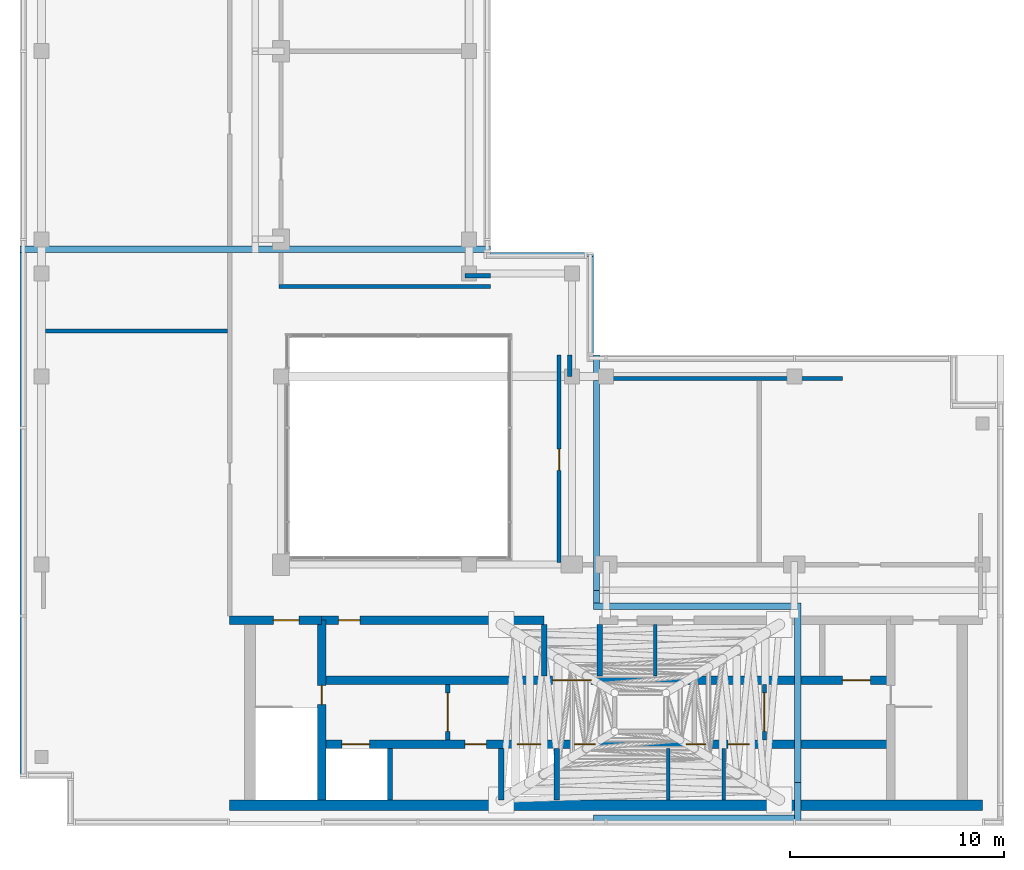
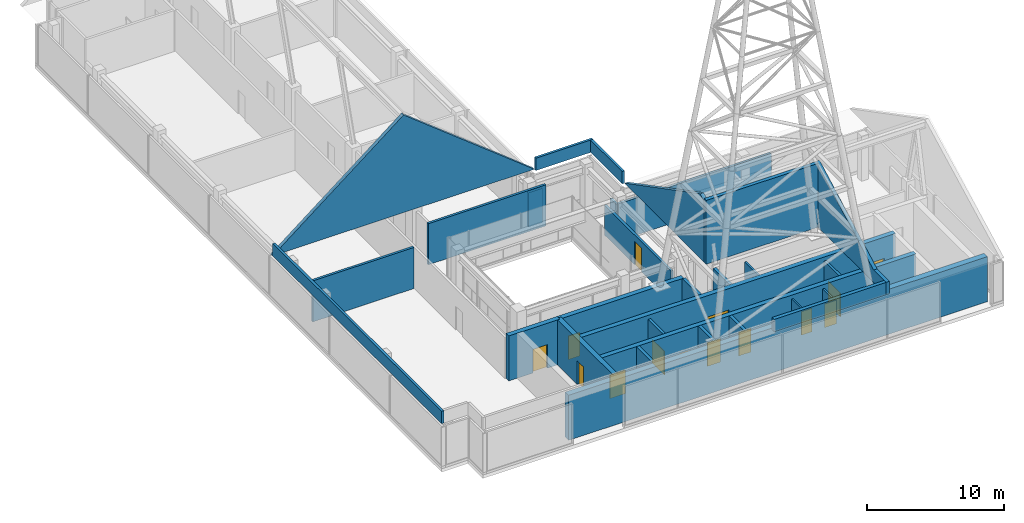
# One storey, part 11 of 13: 30 walls, 14 doors, 14 openings.
"""IFC4 building model written with IfcOpenShell, lengths in metres."""

from ifc_helpers import new_model, si_unit, direction, frame, frame_2d, origin, place, context, subcontext, project, spatial, polyline, rectangle, outline, extrude, material, layer, layer_set, type_object, element, fill, save


model = new_model("IFC4")

# Units and contexts
model_context = context("Model", 3, precision=1e-05, world=origin(), true_north=direction((0.0, 1.0)))
body_context = subcontext(model_context, "Body", "Model", "MODEL_VIEW")
ifc_project = project(units=[si_unit("LENGTHUNIT", "METRE"), si_unit("AREAUNIT", "SQUARE_METRE"), si_unit("VOLUMEUNIT", "CUBIC_METRE"), si_unit("PLANEANGLEUNIT", "RADIAN"), si_unit("MASSUNIT", "GRAM", prefix="KILO")], contexts=[model_context])

# Site, building, storey
site_placement = place(None, origin())
site = spatial("IfcSite", under=ifc_project, at=site_placement, CompositionType="ELEMENT")
building_placement = place(site_placement, origin())
building = spatial("IfcBuilding", under=site, at=building_placement, Name="Kemantara Hotel Tower", CompositionType="ELEMENT")
storey_placement = place(building_placement, frame((0.0, 0.0, 330.199951171875)))
storey = spatial("IfcBuildingStorey", under=building, at=storey_placement, Name="L83", CompositionType="ELEMENT", Elevation=330.199951171875)

# Walls
ifc_material_1 = material(Name="Concrete fc 50 MPa", Category="concrete")
ifc_layer_1 = layer(ifc_material_1, 0.25)
ifc_layer_set_1 = layer_set([ifc_layer_1], Name="Concrete fc 50 MPa")
wall_type_1 = type_object("IfcWallType", Name="CORE WALL 250 FC50", PredefinedType="SHEAR", material=ifc_layer_set_1)
for number, where, z_axis, x_axis, name in (
    (1, (17.300048828125, 1.199951171875, 0.0), (0.0, 0.0, 1.0), (0.0, 1.0, 0.0), "CORE WALL CW-DS17.3"),
    (2, (22.5, 1.199951171875, 0.0), (0.0, 0.0, 1.0), (0.0, 1.0, 0.0), "CORE WALL CW-DS22.5"),
    (3, (25.10009765625, 1.199951171875, 0.0), (0.0, 0.0, 1.0), (0.0, 1.0, 0.0), "CORE WALL CW-DS25.1"),
):
    element("IfcWall", number, at=place(storey_placement, frame(where, z_axis=z_axis, x_axis=x_axis)), inside=storey, type_object=wall_type_1, Name=name, PredefinedType="SHEAR", context=body_context, shape_type="SweptSolid", body=[
        extrude(rectangle(XDim=2.400146484375, YDim=0.25, at=frame_2d((1.2001953125, 0.0))), origin(), (0.0, 0.0, 1.0), 4.0),
    ])
for number, where, z_axis, x_axis, name in (
    (4, (24.5, 7.0, 0.0), (0.0, 0.0, 1.0), (0.0, 1.0, 0.0), "CORE WALL CW-DN24.5"),
    (5, (27.10009765625, 7.0, 0.0), (0.0, 0.0, 1.0), (0.0, 1.0, 0.0), "CORE WALL CW-DN27.1"),
):
    element("IfcWall", number, at=place(storey_placement, frame(where, z_axis=z_axis, x_axis=x_axis)), inside=storey, type_object=wall_type_1, Name=name, PredefinedType="SHEAR", context=body_context, shape_type="SweptSolid", body=[
        extrude(rectangle(XDim=2.39990234375, YDim=0.25, at=frame_2d((1.199951171875, 0.0))), origin(), (0.0, 0.0, 1.0), 4.0),
    ])

# Wall, opening, door
ifc_layer_2 = layer(ifc_material_1, 0.39990234375)
ifc_layer_set_2 = layer_set([ifc_layer_2], Name="Concrete fc 50 MPa")
wall_type_2 = type_object("IfcWallType", Name="CORE WALL 400 FC50", PredefinedType="SHEAR", material=ifc_layer_set_2)
wall_1_placement = place(storey_placement, frame((9.800048828125, 9.60009765625, 0.0), z_axis=(0.0, 0.0, 1.0), x_axis=(1.0, 0.0, 0.0)))
wall_1 = element("IfcWall", 6, at=wall_1_placement, inside=storey, type_object=wall_type_2, Name="CORE WALL CW-N1", PredefinedType="SHEAR", context=body_context, shape_type="SweptSolid", body=[
    extrude(rectangle(XDim=4.300048828125, YDim=0.39990234375, at=frame_2d((2.14990234375, 0.0))), origin(), (0.0, 0.0, 1.0), 4.0),
])
opening_1_placement = place(wall_1_placement, frame((2.050048828125, 0.0, 0.0)))
opening_1 = element("IfcOpeningElement", 7, at=opening_1_placement, cuts=wall_1, Name="Opening C47-ST1-C", PredefinedType="OPENING", context=body_context, shape_type="SweptSolid", body=[
    extrude(rectangle(XDim=1.199951171875, YDim=2.10009765625, at=frame_2d((0.60009765625, 1.050048828125))), frame((0.0, 0.2099609375, 0.0), z_axis=(0.0, -1.0, 0.0), x_axis=(1.0, 0.0, 0.0)), (0.0, 0.0, 1.0), 0.419921875),
])
ifc_material_2 = material(Name="Steel fire door", Category="steel")
door_type_1 = type_object("IfcDoorType", Name="Fire door FD90 1200 x 2100", OperationType="NOTDEFINED", PredefinedType="DOOR", material=ifc_material_2)
door_1_placement = place(opening_1_placement, frame((1.199951171875, 0.0, 0.0), z_axis=(0.0, 0.0, 1.0), x_axis=(-1.0, 0.0, 0.0)))
door_1 = element("IfcDoor", 8, at=door_1_placement, inside=storey, type_object=door_type_1, Name="Stair ST1 door to corridor", OperationType="SINGLE_SWING_LEFT", OverallHeight=2.10009765625, OverallWidth=1.199951171875, PredefinedType="DOOR", context=body_context, shape_type="SweptSolid", body=[
    extrude(rectangle(XDim=1.199951171875, YDim=2.10009765625, at=frame_2d((0.60009765625, 1.050048828125))), frame((0.0, 0.02490234375, 0.0), z_axis=(0.0, -1.0, 0.0), x_axis=(1.0, 0.0, 0.0)), (0.0, 0.0, 1.0), 0.050048828125),
])
fill(opening_1, door_1)

wall_2_placement = place(storey_placement, frame((14.10009765625, 9.60009765625, 0.0), z_axis=(0.0, 0.0, 1.0), x_axis=(1.0, 0.0, 0.0)))
wall_2 = element("IfcWall", 9, at=wall_2_placement, inside=storey, type_object=wall_type_2, Name="CORE WALL CW-NN1", PredefinedType="SHEAR", context=body_context, shape_type="SweptSolid", body=[
    extrude(rectangle(XDim=10.39990234375, YDim=0.39990234375, at=frame_2d((5.199951171875, 0.0))), origin(), (0.0, 0.0, 1.0), 4.0),
])
opening_2_placement = place(wall_2_placement, frame((0.800048828125, 0.0, 0.0)))
opening_2 = element("IfcOpeningElement", 10, at=opening_2_placement, cuts=wall_2, Name="Opening C47-R-NW1", PredefinedType="OPENING", context=body_context, shape_type="SweptSolid", body=[
    extrude(rectangle(XDim=1.0, YDim=2.10009765625, at=frame_2d((0.5, 1.050048828125))), frame((0.0, 0.2099609375, 0.0), z_axis=(0.0, -1.0, 0.0), x_axis=(1.0, 0.0, 0.0)), (0.0, 0.0, 1.0), 0.419921875),
])
door_type_2 = type_object("IfcDoorType", Name="Fire door FD60 1000 x 2100", OperationType="NOTDEFINED", PredefinedType="DOOR", material=ifc_material_2)
door_2_placement = place(opening_2_placement, frame((1.0, 0.0, 0.0), z_axis=(0.0, 0.0, 1.0), x_axis=(-1.0, 0.0, 0.0)))
door_2 = element("IfcDoor", 11, at=door_2_placement, inside=storey, type_object=door_type_2, Name="Pump And Tank Room door", OperationType="SINGLE_SWING_RIGHT", OverallHeight=2.10009765625, OverallWidth=1.0, PredefinedType="DOOR", context=body_context, shape_type="SweptSolid", body=[
    extrude(rectangle(XDim=1.0, YDim=2.10009765625, at=frame_2d((0.5, 1.050048828125))), frame((0.0, 0.02490234375, 0.0), z_axis=(0.0, -1.0, 0.0), x_axis=(1.0, 0.0, 0.0)), (0.0, 0.0, 1.0), 0.050048828125),
])
fill(opening_2, door_2)

# Wall, openings, doors
wall_3_placement = place(storey_placement, frame((14.10009765625, 3.800048828125, 0.0), z_axis=(0.0, 0.0, 1.0), x_axis=(1.0, 0.0, 0.0)))
wall_3 = element("IfcWall", 12, at=wall_3_placement, inside=storey, type_object=wall_type_2, Name="CORE WALL CW-L1", PredefinedType="SHEAR", context=body_context, shape_type="SweptSolid", body=[
    extrude(rectangle(XDim=26.599853515625, YDim=0.39990234375, at=frame_2d((13.2998046875, 0.0))), origin(), (0.0, 0.0, 1.0), 4.0),
])
opening_3_placement = place(wall_3_placement, frame((0.949951171875, 0.0, 0.0)))
opening_3 = element("IfcOpeningElement", 13, at=opening_3_placement, cuts=wall_3, Name="Opening C47-LD-FF1", PredefinedType="OPENING", context=body_context, shape_type="SweptSolid", body=[
    extrude(rectangle(XDim=1.300048828125, YDim=2.10009765625, at=frame_2d((0.64990234375, 1.050048828125))), frame((0.0, 0.2099609375, 0.0), z_axis=(0.0, -1.0, 0.0), x_axis=(1.0, 0.0, 0.0)), (0.0, 0.0, 1.0), 0.419921875),
])
opening_4_placement = place(wall_3_placement, frame((9.14990234375, 0.0, 0.0)))
opening_4 = element("IfcOpeningElement", 14, at=opening_4_placement, cuts=wall_3, Name="Opening C47-LD-SV3", PredefinedType="OPENING", context=body_context, shape_type="SweptSolid", body=[
    extrude(rectangle(XDim=1.10009765625, YDim=2.10009765625, at=frame_2d((0.550048828125, 1.050048828125))), frame((0.0, 0.2099609375, 0.0), z_axis=(0.0, -1.0, 0.0), x_axis=(1.0, 0.0, 0.0)), (0.0, 0.0, 1.0), 0.419921875),
])
opening_5_placement = place(wall_3_placement, frame((11.800048828125, 0.0, 0.0)))
opening_5 = element("IfcOpeningElement", 15, at=opening_5_placement, cuts=wall_3, Name="Opening C47-R-SM1", PredefinedType="OPENING", context=body_context, shape_type="SweptSolid", body=[
    extrude(rectangle(XDim=1.0, YDim=2.10009765625, at=frame_2d((0.5, 1.050048828125))), frame((0.0, 0.2099609375, 0.0), z_axis=(0.0, -1.0, 0.0), x_axis=(1.0, 0.0, 0.0)), (0.0, 0.0, 1.0), 0.419921875),
])
opening_6_placement = place(wall_3_placement, frame((17.050048828125, 0.0, 0.0)))
opening_6 = element("IfcOpeningElement", 16, at=opening_6_placement, cuts=wall_3, Name="Opening C47-R-SM2", PredefinedType="OPENING", context=body_context, shape_type="SweptSolid", body=[
    extrude(rectangle(XDim=0.89990234375, YDim=2.10009765625, at=frame_2d((0.449951171875, 1.050048828125))), frame((0.0, 0.2099609375, 0.0), z_axis=(0.0, -1.0, 0.0), x_axis=(1.0, 0.0, 0.0)), (0.0, 0.0, 1.0), 0.419921875),
])
opening_7_placement = place(wall_3_placement, frame((19.0, 0.0, 0.0)))
opening_7 = element("IfcOpeningElement", 17, at=opening_7_placement, cuts=wall_3, Name="Opening C47-R-SM3", PredefinedType="OPENING", context=body_context, shape_type="SweptSolid", body=[
    extrude(rectangle(XDim=1.0, YDim=2.10009765625, at=frame_2d((0.5, 1.050048828125))), frame((0.0, 0.2099609375, 0.0), z_axis=(0.0, -1.0, 0.0), x_axis=(1.0, 0.0, 0.0)), (0.0, 0.0, 1.0), 0.419921875),
])
opening_8_placement = place(wall_3_placement, frame((6.699951171875, 0.0, 0.0)))
opening_8 = element("IfcOpeningElement", 18, at=opening_8_placement, cuts=wall_3, Name="Opening C47-R-SW1", PredefinedType="OPENING", context=body_context, shape_type="SweptSolid", body=[
    extrude(rectangle(XDim=1.0, YDim=2.10009765625, at=frame_2d((0.5, 1.050048828125))), frame((0.0, 0.2099609375, 0.0), z_axis=(0.0, -1.0, 0.0), x_axis=(1.0, 0.0, 0.0)), (0.0, 0.0, 1.0), 0.419921875),
])
door_3_placement = place(opening_5_placement, frame((1.0, 0.0, 0.0), z_axis=(0.0, 0.0, 1.0), x_axis=(-1.0, 0.0, 0.0)))
door_3 = element("IfcDoor", 19, at=door_3_placement, inside=storey, type_object=door_type_2, Name="Chilled Water Plant Room door", OperationType="SINGLE_SWING_RIGHT", OverallHeight=2.10009765625, OverallWidth=1.0, PredefinedType="DOOR", context=body_context, shape_type="SweptSolid", body=[
    extrude(rectangle(XDim=1.0, YDim=2.10009765625, at=frame_2d((0.5, 1.050048828125))), frame((0.0, 0.02490234375, 0.0), z_axis=(0.0, -1.0, 0.0), x_axis=(1.0, 0.0, 0.0)), (0.0, 0.0, 1.0), 0.050048828125),
])
fill(opening_5, door_3)
door_4_placement = place(opening_7_placement, frame((1.0, 0.0, 0.0), z_axis=(0.0, 0.0, 1.0), x_axis=(-1.0, 0.0, 0.0)))
door_4 = element("IfcDoor", 20, at=door_4_placement, inside=storey, type_object=door_type_2, Name="Air Handling Plant Room door", OperationType="SINGLE_SWING_LEFT", OverallHeight=2.10009765625, OverallWidth=1.0, PredefinedType="DOOR", context=body_context, shape_type="SweptSolid", body=[
    extrude(rectangle(XDim=1.0, YDim=2.10009765625, at=frame_2d((0.5, 1.050048828125))), frame((0.0, 0.02490234375, 0.0), z_axis=(0.0, -1.0, 0.0), x_axis=(1.0, 0.0, 0.0)), (0.0, 0.0, 1.0), 0.050048828125),
])
fill(opening_7, door_4)
door_5_placement = place(opening_8_placement, frame((1.0, 0.0, 0.0), z_axis=(0.0, 0.0, 1.0), x_axis=(-1.0, 0.0, 0.0)))
door_5 = element("IfcDoor", 21, at=door_5_placement, inside=storey, type_object=door_type_2, Name="Tank Room door", OperationType="SINGLE_SWING_RIGHT", OverallHeight=2.10009765625, OverallWidth=1.0, PredefinedType="DOOR", context=body_context, shape_type="SweptSolid", body=[
    extrude(rectangle(XDim=1.0, YDim=2.10009765625, at=frame_2d((0.5, 1.050048828125))), frame((0.0, 0.02490234375, 0.0), z_axis=(0.0, -1.0, 0.0), x_axis=(1.0, 0.0, 0.0)), (0.0, 0.0, 1.0), 0.050048828125),
])
fill(opening_8, door_5)
door_type_3 = type_object("IfcDoorType", Name="Fire door FD60 900 x 2100", OperationType="NOTDEFINED", PredefinedType="DOOR", material=ifc_material_2)
door_6_placement = place(opening_6_placement, frame((0.89990234375, 0.0, 0.0), z_axis=(0.0, 0.0, 1.0), x_axis=(-1.0, 0.0, 0.0)))
door_6 = element("IfcDoor", 22, at=door_6_placement, inside=storey, type_object=door_type_3, Name="Electrical Riser Room door", OperationType="SINGLE_SWING_LEFT", OverallHeight=2.10009765625, OverallWidth=0.89990234375, PredefinedType="DOOR", context=body_context, shape_type="SweptSolid", body=[
    extrude(rectangle(XDim=0.89990234375, YDim=2.10009765625, at=frame_2d((0.449951171875, 1.050048828125))), frame((0.0, 0.02490234375, 0.0), z_axis=(0.0, -1.0, 0.0), x_axis=(1.0, 0.0, 0.0)), (0.0, 0.0, 1.0), 0.050048828125),
])
fill(opening_6, door_6)
ifc_material_3 = material(Name="Stainless steel lift door", Category="steel")
door_type_4 = type_object("IfcDoorType", Name="Lift landing door 1100 x 2100 FD60", OperationType="DOUBLE_DOOR_SLIDING", PredefinedType="DOOR", material=ifc_material_3)
door_7_placement = place(opening_4_placement, origin())
door_7 = element("IfcDoor", 23, at=door_7_placement, inside=storey, type_object=door_type_4, Name="Lift SV3 landing door", OperationType="DOUBLE_DOOR_SLIDING", OverallHeight=2.10009765625, OverallWidth=1.10009765625, PredefinedType="DOOR", context=body_context, shape_type="SweptSolid", body=[
    extrude(rectangle(XDim=1.10009765625, YDim=2.10009765625, at=frame_2d((0.550048828125, 1.050048828125))), frame((0.0, 0.02490234375, 0.0), z_axis=(0.0, -1.0, 0.0), x_axis=(1.0, 0.0, 0.0)), (0.0, 0.0, 1.0), 0.050048828125),
])
fill(opening_4, door_7)
door_type_5 = type_object("IfcDoorType", Name="Lift landing door 1300 x 2100 FD90", OperationType="DOUBLE_DOOR_SLIDING", PredefinedType="DOOR", material=ifc_material_3)
door_8_placement = place(opening_3_placement, origin())
door_8 = element("IfcDoor", 24, at=door_8_placement, inside=storey, type_object=door_type_5, Name="Lift FF1 landing door", OperationType="DOUBLE_DOOR_SLIDING", OverallHeight=2.10009765625, OverallWidth=1.300048828125, PredefinedType="DOOR", context=body_context, shape_type="SweptSolid", body=[
    extrude(rectangle(XDim=1.300048828125, YDim=2.10009765625, at=frame_2d((0.64990234375, 1.050048828125))), frame((0.0, 0.02490234375, 0.0), z_axis=(0.0, -1.0, 0.0), x_axis=(1.0, 0.0, 0.0)), (0.0, 0.0, 1.0), 0.050048828125),
])
fill(opening_3, door_8)

wall_4_placement = place(storey_placement, frame((14.10009765625, 6.800048828125, 0.0), z_axis=(0.0, 0.0, 1.0), x_axis=(1.0, 0.0, 0.0)))
wall_4 = element("IfcWall", 25, at=wall_4_placement, inside=storey, type_object=wall_type_2, Name="CORE WALL CW-L2", PredefinedType="SHEAR", context=body_context, shape_type="SweptSolid", body=[
    extrude(rectangle(XDim=26.599853515625, YDim=0.39990234375, at=frame_2d((13.2998046875, 0.0))), origin(), (0.0, 0.0, 1.0), 4.0),
])
opening_9_placement = place(wall_4_placement, frame((10.800048828125, 0.0, 0.0)))
opening_9 = element("IfcOpeningElement", 26, at=opening_9_placement, cuts=wall_4, Name="Opening C47-VL", PredefinedType="OPENING", context=body_context, shape_type="SweptSolid", body=[
    extrude(rectangle(XDim=1.800048828125, YDim=2.10009765625, at=frame_2d((0.89990234375, 1.050048828125))), frame((0.0, 0.2099609375, 0.0), z_axis=(0.0, -1.0, 0.0), x_axis=(1.0, 0.0, 0.0)), (0.0, 0.0, 1.0), 0.419921875),
])
opening_10_placement = place(wall_4_placement, frame((24.35009765625, 0.0, 0.0)))
opening_10 = element("IfcOpeningElement", 27, at=opening_10_placement, cuts=wall_4, Name="Opening C47-LD-FF2", PredefinedType="OPENING", context=body_context, shape_type="SweptSolid", body=[
    extrude(rectangle(XDim=1.300048828125, YDim=2.10009765625, at=frame_2d((0.64990234375, 1.050048828125))), frame((0.0, 0.2099609375, 0.0), z_axis=(0.0, -1.0, 0.0), x_axis=(1.0, 0.0, 0.0)), (0.0, 0.0, 1.0), 0.419921875),
])
door_type_6 = type_object("IfcDoorType", Name="Fire door pair FD60 1800 x 2100", OperationType="DOUBLE_DOOR_SINGLE_SWING", PredefinedType="DOOR", material=ifc_material_2)
door_9_placement = place(opening_9_placement, frame((1.800048828125, 0.0, 0.0), z_axis=(0.0, 0.0, 1.0), x_axis=(-1.0, 0.0, 0.0)))
door_9 = element("IfcDoor", 28, at=door_9_placement, inside=storey, type_object=door_type_6, Name="Lift lobby entry door", OperationType="DOUBLE_DOOR_SINGLE_SWING", OverallHeight=2.10009765625, OverallWidth=1.800048828125, PredefinedType="DOOR", context=body_context, shape_type="SweptSolid", body=[
    extrude(rectangle(XDim=1.800048828125, YDim=2.10009765625, at=frame_2d((0.89990234375, 1.050048828125))), frame((0.0, 0.02490234375, 0.0), z_axis=(0.0, -1.0, 0.0), x_axis=(1.0, 0.0, 0.0)), (0.0, 0.0, 1.0), 0.050048828125),
])
fill(opening_9, door_9)
door_10_placement = place(opening_10_placement, origin())
door_10 = element("IfcDoor", 29, at=door_10_placement, inside=storey, type_object=door_type_5, Name="Lift FF2 landing door", OperationType="DOUBLE_DOOR_SLIDING", OverallHeight=2.10009765625, OverallWidth=1.300048828125, PredefinedType="DOOR", context=body_context, shape_type="SweptSolid", body=[
    extrude(rectangle(XDim=1.300048828125, YDim=2.10009765625, at=frame_2d((0.64990234375, 1.050048828125))), frame((0.0, 0.02490234375, 0.0), z_axis=(0.0, -1.0, 0.0), x_axis=(1.0, 0.0, 0.0)), (0.0, 0.0, 1.0), 0.050048828125),
])
fill(opening_10, door_10)

# Wall, opening, door
wall_5_placement = place(storey_placement, frame((14.10009765625, 1.199951171875, 0.0), z_axis=(0.0, 0.0, 1.0), x_axis=(0.0, 1.0, 0.0)))
wall_5 = element("IfcWall", 30, at=wall_5_placement, inside=storey, type_object=wall_type_2, Name="CORE WALL CW-ST1E", PredefinedType="SHEAR", context=body_context, shape_type="SweptSolid", body=[
    extrude(rectangle(XDim=8.400146484375, YDim=0.39990234375, at=frame_2d((4.2001953125, 0.0))), origin(), (0.0, 0.0, 1.0), 4.0),
])
opening_11_placement = place(wall_5_placement, frame((4.449951171875, 0.0, 0.0)))
opening_11 = element("IfcOpeningElement", 31, at=opening_11_placement, cuts=wall_5, Name="Opening C47-ST1-F", PredefinedType="OPENING", context=body_context, shape_type="SweptSolid", body=[
    extrude(rectangle(XDim=0.89990234375, YDim=2.10009765625, at=frame_2d((0.449951171875, 1.050048828125))), frame((0.0, 0.2099609375, 0.0), z_axis=(0.0, -1.0, 0.0), x_axis=(1.0, 0.0, 0.0)), (0.0, 0.0, 1.0), 0.419921875),
])
door_type_7 = type_object("IfcDoorType", Name="Fire door FD90 900 x 2100", OperationType="NOTDEFINED", PredefinedType="DOOR", material=ifc_material_2)
door_11_placement = place(opening_11_placement, origin())
door_11 = element("IfcDoor", 32, at=door_11_placement, inside=storey, type_object=door_type_7, Name="Stair ST1 door to firefighting lobby", OperationType="SINGLE_SWING_RIGHT", OverallHeight=2.10009765625, OverallWidth=0.89990234375, PredefinedType="DOOR", context=body_context, shape_type="SweptSolid", body=[
    extrude(rectangle(XDim=0.89990234375, YDim=2.10009765625, at=frame_2d((0.449951171875, 1.050048828125))), frame((0.0, 0.02490234375, 0.0), z_axis=(0.0, -1.0, 0.0), x_axis=(1.0, 0.0, 0.0)), (0.0, 0.0, 1.0), 0.050048828125),
])
fill(opening_11, door_11)

# Walls
ifc_layer_3 = layer(ifc_material_1, 0.5)
ifc_layer_set_3 = layer_set([ifc_layer_3], Name="Concrete fc 50 MPa")
wall_type_3 = type_object("IfcWallType", Name="CORE WALL 500 FC50", PredefinedType="SHEAR", material=ifc_layer_set_3)
wall_6_placement = place(storey_placement, frame((9.800048828125, 0.949951171875, 0.0), z_axis=(0.0, 0.0, 1.0), x_axis=(1.0, 0.0, 0.0)))
element("IfcWall", 33, at=wall_6_placement, inside=storey, type_object=wall_type_3, Name="CORE WALL CW-S", PredefinedType="SHEAR", context=body_context, shape_type="SweptSolid", body=[
    extrude(rectangle(XDim=35.199951171875, YDim=0.5, at=frame_2d((17.60009765625, 0.0))), origin(), (0.0, 0.0, 1.0), 4.0),
])
ifc_material_4 = material(Name="Bronze anodised aluminium louvre blades on steel frame (S355)", Category="steel")
ifc_layer_4 = layer(ifc_material_4, 0.300048828125)
ifc_layer_set_4 = layer_set([ifc_layer_4], Name="Bronze anodised aluminium louvre blades on steel frame (S355)")
wall_type_4 = type_object("IfcWallType", Name="CROWN GABLE LOUVRE WALL 300", PredefinedType="STANDARD", material=ifc_layer_set_4)
wall_7_placement = place(storey_placement, frame((26.949951171875, 10.39990234375, 4.0), z_axis=(0.0, 0.0, 1.0), x_axis=(0.0, 1.0, 0.0)))
element("IfcWall", 34, at=wall_7_placement, inside=storey, type_object=wall_type_4, Name="PEAK A GABLE LOUVRE WALL 1", PredefinedType="STANDARD", context=body_context, shape_type="SweptSolid", body=[
    extrude(outline(polyline([(0.0, 0.0), (11.60009765625, 0.0), (11.60009765625, 0.0), (0.60009765625, 5.71533203125), (0.0, 5.387939453125), (0.0, 0.0)])), frame((0.0, 0.14990234375, 0.0), z_axis=(0.0, -1.0, 0.0), x_axis=(1.0, 0.0, 0.0)), (0.0, 0.0, 1.0), 0.300048828125),
])
wall_8_placement = place(storey_placement, frame((36.35009765625, 0.199951171875, 4.0), z_axis=(0.0, 0.0, 1.0), x_axis=(0.0, 1.0, 0.0)))
element("IfcWall", 35, at=wall_8_placement, inside=storey, type_object=wall_type_4, Name="PEAK A MAST CURB WALL E", PredefinedType="STANDARD", context=body_context, shape_type="SweptSolid", body=[
    extrude(outline(polyline([(0.0, 0.0), (10.199951171875, 0.0), (10.199951171875, 5.6728515625), (1.816650390625, 1.10009765625), (0.0, 1.10009765625), (0.0, 0.0)])), frame((0.0, 0.14990234375, 0.0), z_axis=(0.0, -1.0, 0.0), x_axis=(1.0, 0.0, 0.0)), (0.0, 0.0, 1.0), 0.300048828125),
])
wall_9_placement = place(storey_placement, frame((26.800048828125, 0.35009765625, 4.0), z_axis=(0.0, 0.0, 1.0), x_axis=(1.0, 0.0, 0.0)))
element("IfcWall", 36, at=wall_9_placement, inside=storey, type_object=wall_type_4, Name="PEAK A MAST CURB WALL S", PredefinedType="STANDARD", context=body_context, shape_type="SweptSolid", body=[
    extrude(outline(polyline([(0.0, 0.0), (9.39990234375, 0.0), (9.39990234375, 1.10009765625), (0.0, 1.10009765625), (0.0, 0.0)])), frame((0.0, 0.14990234375, 0.0), z_axis=(0.0, -1.0, 0.0), x_axis=(1.0, 0.0, 0.0)), (0.0, 0.0, 1.0), 0.300048828125),
])
wall_10_placement = place(storey_placement, frame((26.800048828125, 10.25, 4.0), z_axis=(0.0, 0.0, 1.0), x_axis=(1.0, 0.0, 0.0)))
element("IfcWall", 37, at=wall_10_placement, inside=storey, type_object=wall_type_4, Name="PEAK A MAST CURB WALL N", PredefinedType="STANDARD", context=body_context, shape_type="SweptSolid", body=[
    extrude(outline(polyline([(0.0, 0.0), (9.39990234375, 0.0), (9.39990234375, 5.6728515625), (0.0, 5.6728515625), (0.0, 0.0)])), frame((0.0, 0.14990234375, 0.0), z_axis=(0.0, -1.0, 0.0), x_axis=(1.0, 0.0, 0.0)), (0.0, 0.0, 1.0), 0.300048828125),
])
wall_11_placement = place(storey_placement, frame((0.0, 26.949951171875, 4.0), z_axis=(0.0, 0.0, 1.0), x_axis=(1.0, 0.0, 0.0)))
element("IfcWall", 38, at=wall_11_placement, inside=storey, type_object=wall_type_4, Name="PEAK B GABLE LOUVRE WALL 1", PredefinedType="STANDARD", context=body_context, shape_type="SweptSolid", body=[
    extrude(outline(polyline([(0.0, 0.0), (22.0, 0.0), (22.0, 0.0), (11.0, 8.677001953125), (0.0, 0.0), (0.0, 0.0)])), frame((0.0, 0.14990234375, 0.0), z_axis=(0.0, -1.0, 0.0), x_axis=(1.0, 0.0, 0.0)), (0.0, 0.0, 1.0), 0.300048828125),
])
ifc_material_5 = material(Name="Clay brick masonry", Category="masonry")
ifc_layer_5 = layer(ifc_material_5, 0.199951171875)
ifc_layer_set_5 = layer_set([ifc_layer_5], Name="Clay brick masonry")
wall_type_5 = type_object("IfcWallType", Name="FIRE-RATED CLAY BRICK WALL 200 EI 120", PredefinedType="PARTITIONING", material=ifc_layer_set_5)
wall_12_placement = place(storey_placement, frame((1.199951171875, 23.1201171875, 0.0), z_axis=(0.0, 0.0, 1.0), x_axis=(1.0, 0.0, 0.0)))
element("IfcWall", 39, at=wall_12_placement, inside=storey, type_object=wall_type_5, Name="FIRE WALL", PredefinedType="PARTITIONING", context=body_context, shape_type="SweptSolid", body=[
    extrude(rectangle(XDim=8.5, YDim=0.199951171875, at=frame_2d((4.25, 0.0))), origin(), (0.0, 0.0, 1.0), 3.650146484375),
])
wall_13_placement = place(storey_placement, frame((25.60009765625, 20.89990234375, 0.0), z_axis=(0.0, 0.0, 1.0), x_axis=(1.0, 0.0, 0.0)))
element("IfcWall", 40, at=wall_13_placement, inside=storey, type_object=wall_type_5, Name="FIRE WALL", PredefinedType="PARTITIONING", context=body_context, shape_type="SweptSolid", body=[
    extrude(rectangle(XDim=12.849853515625, YDim=0.199951171875, at=frame_2d((6.4248046875, 0.0))), origin(), (0.0, 0.0, 1.0), 3.2939453125),
])
wall_14_placement = place(storey_placement, frame((20.800048828125, 25.699951171875, 0.0), z_axis=(0.0, 0.0, 1.0), x_axis=(1.0, 0.0, 0.0)))
element("IfcWall", 41, at=wall_14_placement, inside=storey, type_object=wall_type_5, Name="FIRE WALL", PredefinedType="PARTITIONING", context=body_context, shape_type="SweptSolid", body=[
    extrude(rectangle(XDim=1.199951171875, YDim=0.199951171875, at=frame_2d((0.60009765625, 0.0))), origin(), (0.0, 0.0, 1.0), 3.0380859375),
])
wall_15_placement = place(storey_placement, frame((25.699951171875, 21.0, 0.0), z_axis=(0.0, 0.0, 1.0), x_axis=(0.0, 1.0, 0.0)))
element("IfcWall", 42, at=wall_15_placement, inside=storey, type_object=wall_type_5, Name="FIRE WALL", PredefinedType="PARTITIONING", context=body_context, shape_type="SweptSolid", body=[
    extrude(rectangle(XDim=1.0, YDim=0.199951171875, at=frame_2d((0.5, 0.0))), origin(), (0.0, 0.0, 1.0), 3.0380859375),
])
ifc_material_6 = material(Name="Fire-rated gypsum board partition")
ifc_layer_6 = layer(ifc_material_6, 0.199951171875)
ifc_layer_set_6 = layer_set([ifc_layer_6], Name="Fire-rated gypsum board partition")
wall_type_6 = type_object("IfcWallType", Name="FIRE-RATED GYPSUM PARTITION 200 EI 60", PredefinedType="PARTITIONING", material=ifc_layer_set_6)
wall_16_placement = place(storey_placement, frame((12.10009765625, 25.199951171875, 0.0), z_axis=(0.0, 0.0, 1.0), x_axis=(1.0, 0.0, 0.0)))
element("IfcWall", 43, at=wall_16_placement, inside=storey, type_object=wall_type_6, Name="FIRE-RATED PARTITION", PredefinedType="PARTITIONING", context=body_context, shape_type="SweptSolid", body=[
    extrude(rectangle(XDim=9.89990234375, YDim=0.199951171875, at=frame_2d((4.949951171875, 0.0))), origin(), (0.0, 0.0, 1.0), 3.650146484375),
])

# Wall, opening, door
wall_17_placement = place(storey_placement, frame((25.199951171875, 12.300048828125, 0.0), z_axis=(0.0, 0.0, 1.0), x_axis=(0.0, 1.0, 0.0)))
wall_17 = element("IfcWall", 44, at=wall_17_placement, inside=storey, type_object=wall_type_6, Name="FIRE-RATED PARTITION", PredefinedType="PARTITIONING", context=body_context, shape_type="SweptSolid", body=[
    extrude(rectangle(XDim=9.699951171875, YDim=0.199951171875, at=frame_2d((4.85009765625, 0.0))), origin(), (0.0, 0.0, 1.0), 2.650146484375),
])
opening_12_placement = place(wall_17_placement, frame((4.300048828125, 0.0, 0.0)))
opening_12 = element("IfcOpeningElement", 45, at=opening_12_placement, cuts=wall_17, Name="Opening L83-B001", PredefinedType="OPENING", context=body_context, shape_type="SweptSolid", body=[
    extrude(rectangle(XDim=1.0, YDim=2.10009765625, at=frame_2d((0.5, 1.050048828125))), frame((0.0, 0.10986328125, 0.0), z_axis=(0.0, -1.0, 0.0), x_axis=(1.0, 0.0, 0.0)), (0.0, 0.0, 1.0), 0.219970703125),
])
ifc_material_7 = material(Name="Galvanised steel door leaf", Category="steel")
door_type_8 = type_object("IfcDoorType", Name="FIRE-RATED STEEL DOOR 1000 X 2100", OperationType="SINGLE_SWING_LEFT", PredefinedType="DOOR", material=ifc_material_7)
door_12_placement = place(opening_12_placement, frame((1.0, 0.0, 0.0), z_axis=(0.0, 0.0, 1.0), x_axis=(-1.0, 0.0, 0.0)))
door_12 = element("IfcDoor", 46, at=door_12_placement, inside=storey, type_object=door_type_8, Name="FIRE-RATED STEEL DOOR", OperationType="SINGLE_SWING_RIGHT", OverallHeight=2.10009765625, OverallWidth=1.0, PredefinedType="DOOR", context=body_context, shape_type="SweptSolid", body=[
    extrude(rectangle(XDim=1.0, YDim=2.10009765625, at=frame_2d((0.5, 1.050048828125))), frame((0.0, 0.02490234375, 0.0), z_axis=(0.0, -1.0, 0.0), x_axis=(1.0, 0.0, 0.0)), (0.0, 0.0, 1.0), 0.050048828125),
])
fill(opening_12, door_12)

# Walls
ifc_material_8 = material(Name="Gypsum board partition")
ifc_layer_7 = layer(ifc_material_8, 0.14990234375)
ifc_layer_set_7 = layer_set([ifc_layer_7], Name="Gypsum board partition")
wall_type_7 = type_object("IfcWallType", Name="Gypsum board partition 150 mm", PredefinedType="PARTITIONING", material=ifc_layer_set_7)
wall_18_placement = place(storey_placement, frame((29.699951171875, 7.0, 0.0), z_axis=(0.0, 0.0, 1.0), x_axis=(0.0, 1.0, 0.0)))
element("IfcWall", 47, at=wall_18_placement, inside=storey, type_object=wall_type_7, Name="Core room partition", PredefinedType="PARTITIONING", context=body_context, shape_type="SweptSolid", body=[
    extrude(rectangle(XDim=2.39990234375, YDim=0.14990234375, at=frame_2d((1.199951171875, 0.0))), origin(), (0.0, 0.0, 1.0), 3.650146484375),
])
for number, where, z_axis, x_axis, name in (
    (48, (30.300048828125, 1.199951171875, 0.0), (0.0, 0.0, 1.0), (0.0, 1.0, 0.0), "Core room partition"),
    (49, (32.89990234375, 1.199951171875, 0.0), (0.0, 0.0, 1.0), (0.0, 1.0, 0.0), "Core room partition"),
):
    element("IfcWall", number, at=place(storey_placement, frame(where, z_axis=z_axis, x_axis=x_axis)), inside=storey, type_object=wall_type_7, Name=name, PredefinedType="PARTITIONING", context=body_context, shape_type="SweptSolid", body=[
        extrude(rectangle(XDim=2.400146484375, YDim=0.14990234375, at=frame_2d((1.2001953125, 0.0))), origin(), (0.0, 0.0, 1.0), 3.650146484375),
    ])

# Wall, opening, door
ifc_material_9 = material(Name="Gypsum board shaft wall")
ifc_layer_8 = layer(ifc_material_9, 0.199951171875)
ifc_layer_set_8 = layer_set([ifc_layer_8], Name="Gypsum board shaft wall")
wall_type_8 = type_object("IfcWallType", Name="Gypsum board shaft wall 200 mm", PredefinedType="PARTITIONING", material=ifc_layer_set_8)
wall_19_placement = place(storey_placement, frame((20.0, 4.0, 0.0), z_axis=(0.0, 0.0, 1.0), x_axis=(0.0, 1.0, 0.0)))
wall_19 = element("IfcWall", 50, at=wall_19_placement, inside=storey, type_object=wall_type_8, Name="Firefighting lobby partition west", PredefinedType="PARTITIONING", context=body_context, shape_type="SweptSolid", body=[
    extrude(rectangle(XDim=2.60009765625, YDim=0.199951171875, at=frame_2d((1.300048828125, 0.0))), origin(), (0.0, 0.0, 1.0), 3.650146484375),
])
opening_13_placement = place(wall_19_placement, frame((0.39990234375, 0.0, 0.0)))
opening_13 = element("IfcOpeningElement", 51, at=opening_13_placement, cuts=wall_19, Name="Opening C47-FFW", PredefinedType="OPENING", context=body_context, shape_type="SweptSolid", body=[
    extrude(rectangle(XDim=1.800048828125, YDim=2.10009765625, at=frame_2d((0.89990234375, 1.050048828125))), frame((0.0, 0.10986328125, 0.0), z_axis=(0.0, -1.0, 0.0), x_axis=(1.0, 0.0, 0.0)), (0.0, 0.0, 1.0), 0.219970703125),
])
door_13_placement = place(opening_13_placement, origin())
door_13 = element("IfcDoor", 52, at=door_13_placement, inside=storey, type_object=door_type_6, Name="Firefighting lobby door west", OperationType="DOUBLE_DOOR_SINGLE_SWING", OverallHeight=2.10009765625, OverallWidth=1.800048828125, PredefinedType="DOOR", context=body_context, shape_type="SweptSolid", body=[
    extrude(rectangle(XDim=1.800048828125, YDim=2.10009765625, at=frame_2d((0.89990234375, 1.050048828125))), frame((0.0, 0.02490234375, 0.0), z_axis=(0.0, -1.0, 0.0), x_axis=(1.0, 0.0, 0.0)), (0.0, 0.0, 1.0), 0.050048828125),
])
fill(opening_13, door_13)

wall_20_placement = place(storey_placement, frame((34.800048828125, 4.0, 0.0), z_axis=(0.0, 0.0, 1.0), x_axis=(0.0, 1.0, 0.0)))
wall_20 = element("IfcWall", 53, at=wall_20_placement, inside=storey, type_object=wall_type_8, Name="Firefighting lobby partition east", PredefinedType="PARTITIONING", context=body_context, shape_type="SweptSolid", body=[
    extrude(rectangle(XDim=2.60009765625, YDim=0.199951171875, at=frame_2d((1.300048828125, 0.0))), origin(), (0.0, 0.0, 1.0), 3.650146484375),
])
opening_14_placement = place(wall_20_placement, frame((0.39990234375, 0.0, 0.0)))
opening_14 = element("IfcOpeningElement", 54, at=opening_14_placement, cuts=wall_20, Name="Opening C47-FFE", PredefinedType="OPENING", context=body_context, shape_type="SweptSolid", body=[
    extrude(rectangle(XDim=1.800048828125, YDim=2.10009765625, at=frame_2d((0.89990234375, 1.050048828125))), frame((0.0, 0.10986328125, 0.0), z_axis=(0.0, -1.0, 0.0), x_axis=(1.0, 0.0, 0.0)), (0.0, 0.0, 1.0), 0.219970703125),
])
door_14_placement = place(opening_14_placement, frame((1.800048828125, 0.0, 0.0), z_axis=(0.0, 0.0, 1.0), x_axis=(-1.0, 0.0, 0.0)))
door_14 = element("IfcDoor", 55, at=door_14_placement, inside=storey, type_object=door_type_6, Name="Firefighting lobby door east", OperationType="DOUBLE_DOOR_SINGLE_SWING", OverallHeight=2.10009765625, OverallWidth=1.800048828125, PredefinedType="DOOR", context=body_context, shape_type="SweptSolid", body=[
    extrude(rectangle(XDim=1.800048828125, YDim=2.10009765625, at=frame_2d((0.89990234375, 1.050048828125))), frame((0.0, 0.02490234375, 0.0), z_axis=(0.0, -1.0, 0.0), x_axis=(1.0, 0.0, 0.0)), (0.0, 0.0, 1.0), 0.050048828125),
])
fill(opening_14, door_14)

# Walls
ifc_material_10 = material(Name="Concrete K-400 (fc 33 MPa)", Category="concrete")
ifc_layer_9 = layer(ifc_material_10, 0.199951171875)
ifc_layer_set_9 = layer_set([ifc_layer_9], Name="Concrete K-400 (fc 33 MPa)")
wall_type_9 = type_object("IfcWallType", Name="ROOF PARAPET 200", PredefinedType="PARAPET", material=ifc_layer_set_9)
for number, where, z_axis, x_axis, name in (
    (56, (26.699951171875, 22.0, 4.0), (0.0, 0.0, 1.0), (0.0, 1.0, 0.0), "DRUM ROOF PARAPET 1.4"),
    (57, (26.800048828125, 26.699951171875, 4.0), (0.0, 0.0, 1.0), (-1.0, 0.0, 0.0), "DRUM ROOF PARAPET 1.5"),
):
    element("IfcWall", number, at=place(storey_placement, frame(where, z_axis=z_axis, x_axis=x_axis)), inside=storey, type_object=wall_type_9, Name=name, PredefinedType="PARAPET", context=body_context, shape_type="SweptSolid", body=[
        extrude(rectangle(XDim=4.800048828125, YDim=0.199951171875, at=frame_2d((2.39990234375, 0.0))), origin(), (0.0, 0.0, 1.0), 1.10009765625),
    ])
wall_21_placement = place(storey_placement, frame((0.10009765625, 26.800048828125, 4.0), z_axis=(0.0, 0.0, 1.0), x_axis=(0.0, -1.0, 0.0)))
element("IfcWall", 58, at=wall_21_placement, inside=storey, type_object=wall_type_9, Name="DRUM ROOF PARAPET 1.7", PredefinedType="PARAPET", context=body_context, shape_type="SweptSolid", body=[
    extrude(rectangle(XDim=24.60009765625, YDim=0.199951171875, at=frame_2d((12.300048828125, 0.0))), origin(), (0.0, 0.0, 1.0), 1.10009765625),
])

save(model, "model.ifc")
